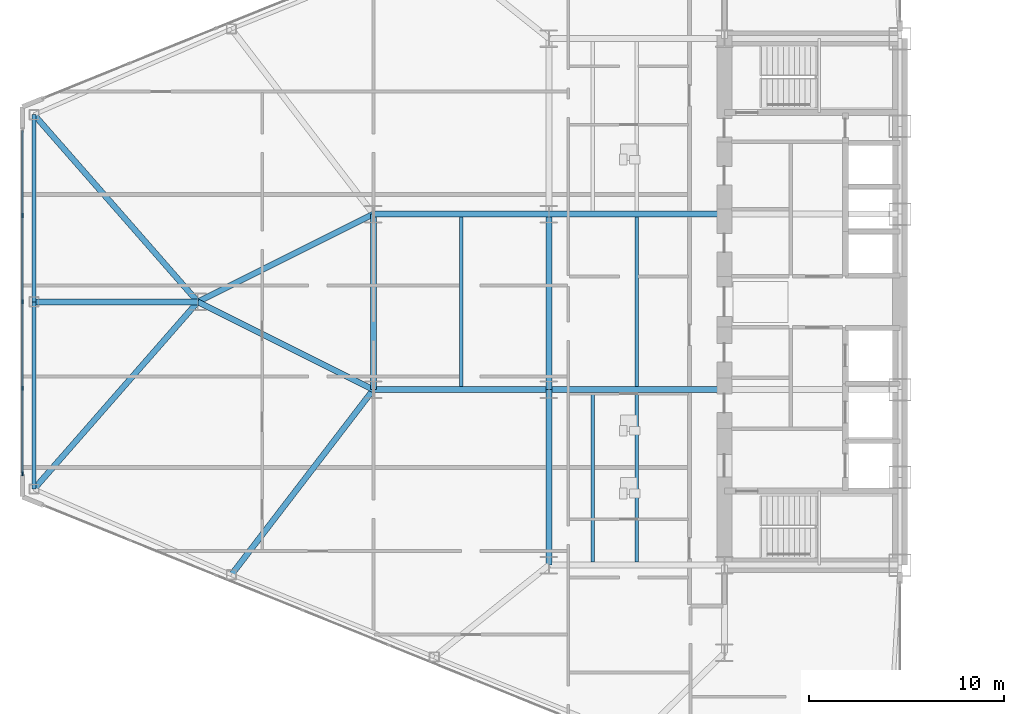
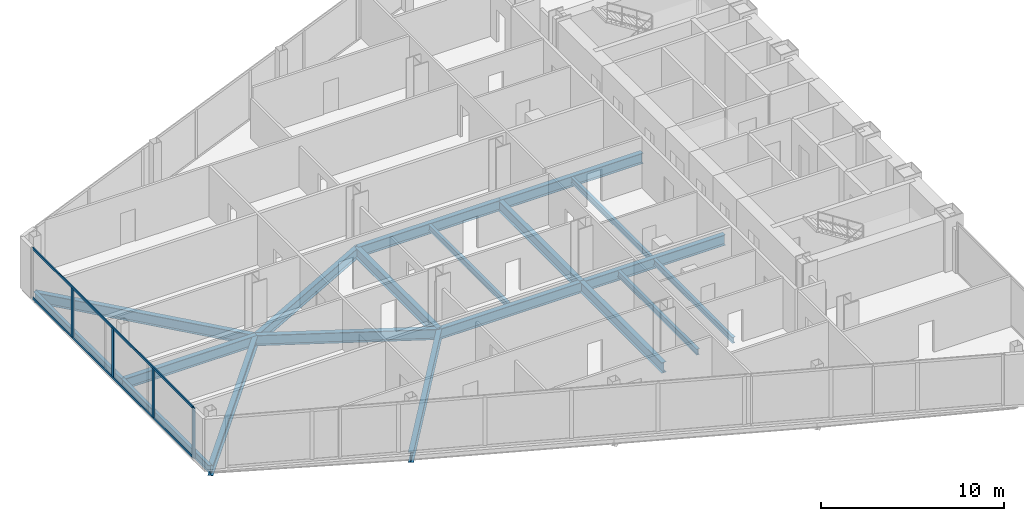
# One storey, part 4 of 25: 19 beams, 6 members, 1 element without a shape of its own.
"""IFC4 building model written with IfcOpenShell, lengths in metres."""

from ifc_helpers import new_model, si_unit, direction, frame, origin, origin_2d, place, context, subcontext, project, spatial, rectangle, i_section, extrude, source, transform, mapped, material, layer, layer_set, material_profile, profile_set, type_object, type_shapes, element, aggregate, save


model = new_model("IFC4")

# Units and contexts
model_context = context("Model", 3, precision=1e-05, world=origin(), true_north=direction((0.0, 1.0)))
body_context = subcontext(model_context, "Body", "Model", "MODEL_VIEW")
ifc_project = project(units=[si_unit("LENGTHUNIT", "METRE"), si_unit("AREAUNIT", "SQUARE_METRE"), si_unit("VOLUMEUNIT", "CUBIC_METRE"), si_unit("PLANEANGLEUNIT", "RADIAN"), si_unit("MASSUNIT", "GRAM", prefix="KILO")], contexts=[model_context])

# Site, building, storey
site_placement = place(None, origin())
site = spatial("IfcSite", under=ifc_project, at=site_placement, CompositionType="ELEMENT")
building_placement = place(site_placement, origin())
building = spatial("IfcBuilding", under=site, at=building_placement, Name="Seokmaru Belvedere", CompositionType="ELEMENT")
storey_placement = place(building_placement, frame((0.0, 0.0, 51.300048828125)))
storey = spatial("IfcBuildingStorey", under=building, at=storey_placement, Name="L13", CompositionType="ELEMENT", Elevation=51.300048828125)

# Beams
ifc_material_1 = material(Name="Steel SM355 (355 MPa)", Category="steel")
ifc_material_profile_1 = material_profile(ifc_material_1, i_section(OverallWidth=0.300048828125, OverallDepth=0.699951171875, WebThickness=0.012939453125, FlangeThickness=0.02392578125, at=origin_2d()), Name="H-700x300x13x24")
ifc_profile_set_1 = profile_set([ifc_material_profile_1], Name="Steel SM355 (355 MPa)")
beam_type_1 = type_object("IfcBeamType", Name="Primary Floor Girder H-700", PredefinedType="BEAM", material=ifc_profile_set_1)
shared_shape_1 = source(origin(), body_context, "Body", "SweptSolid", [
    extrude(i_section(OverallWidth=0.300048828125, OverallDepth=0.699951171875, WebThickness=0.012939453125, FlangeThickness=0.02392578125, at=origin_2d()), origin(), (0.0, 0.0, 1.0), 9.0),
])
for number, where, z_axis, x_axis, name in (
    (1, (-45.5, -13.5, -0.570068359375), (0.0, 1.0, 0.0), (-1.0, 0.0, 0.0), "L13 W Interior Grid Girder 1"),
    (2, (-45.5, -4.5, -0.570068359375), (0.0, 1.0, 0.0), (-1.0, 0.0, 0.0), "L13 W Interior Grid Girder 2"),
    (3, (-45.5, -4.5, -0.570068359375), (1.0, 0.0, 0.0), (0.0, 1.0, 0.0), "L13 W Wing Primary Girder 2"),
    (4, (-45.5, 4.5, -0.570068359375), (1.0, 0.0, 0.0), (0.0, 1.0, 0.0), "L13 W Wing Primary Girder 3"),
    (5, (-54.5, -4.5, -0.570068359375), (1.0, 0.0, 0.0), (0.0, 1.0, 0.0), "L13 W Outer Wing Girder 1"),
    (6, (-54.5, 4.5, -0.570068359375), (1.0, 0.0, 0.0), (0.0, 1.0, 0.0), "L13 W Outer Wing Girder 2"),
    (7, (-54.5, -4.5, -0.570068359375), (0.0, 1.0, 0.0), (-1.0, 0.0, 0.0), "L13 W Apex Frame Girder"),
):
    element("IfcBeam", number, at=place(storey_placement, frame(where, z_axis=z_axis, x_axis=x_axis)), inside=storey, type_object=beam_type_1, Name=name, PredefinedType="BEAM", context=body_context, shape_type="MappedRepresentation", body=[
        mapped(shared_shape_1, transform((0.0, 0.0, 0.0), scale=1.0)),
    ])
shared_shape_2 = source(origin(), body_context, "Body", "SweptSolid", [
    extrude(i_section(OverallWidth=0.300048828125, OverallDepth=0.699951171875, WebThickness=0.012939453125, FlangeThickness=0.02392578125, at=origin_2d()), origin(), (0.0, 0.0, 1.0), 10.062255859375),
])
for number, where, z_axis, x_axis, name in (
    (8, (-54.5, -4.5, -0.570068359375), (-0.894427191, 0.4472135955, 0.0), (-0.4472135955, -0.894427191, 0.0), "L13 W Apex Converging Girder 1"),
    (9, (-54.5, 4.5, -0.570068359375), (-0.894427191, -0.4472135955, 0.0), (0.4472135955, -0.894427191, 0.0), "L13 W Apex Converging Girder 2"),
):
    element("IfcBeam", number, at=place(storey_placement, frame(where, z_axis=z_axis, x_axis=x_axis)), inside=storey, type_object=beam_type_1, Name=name, PredefinedType="BEAM", context=body_context, shape_type="MappedRepresentation", body=[
        mapped(shared_shape_2, transform((0.0, 0.0, 0.0), scale=1.0)),
    ])
ifc_material_profile_2 = material_profile(ifc_material_1, i_section(OverallWidth=0.18505859375, OverallDepth=0.389892578125, WebThickness=0.008056640625, FlangeThickness=0.011962890625, at=origin_2d()), Name="H-390x185x8x12")
ifc_profile_set_2 = profile_set([ifc_material_profile_2], Name="Steel SM355 (355 MPa)")
beam_type_2 = type_object("IfcBeamType", Name="Secondary Floor Joist H-350", PredefinedType="JOIST", material=ifc_profile_set_2)
shared_shape_3 = source(origin(), body_context, "Body", "SweptSolid", [
    extrude(i_section(OverallWidth=0.18505859375, OverallDepth=0.389892578125, WebThickness=0.008056640625, FlangeThickness=0.011962890625, at=origin_2d()), origin(), (0.0, 0.0, 1.0), 8.68994140625),
])
type_shapes(beam_type_2, [shared_shape_3])
for number, where, z_axis, x_axis, name in (
    (10, (-43.25, -13.344970703125, -0.4150390625), (0.0, 1.0, 0.0), (-1.0, 0.0, 0.0), "L13 W Wing Inner Secondary Joist 1"),
    (11, (-41.0, -13.344970703125, -0.4150390625), (0.0, 1.0, 0.0), (-1.0, 0.0, 0.0), "L13 W Secondary Floor Joist 1"),
    (12, (-41.0, -4.344970703125, -0.4150390625), (0.0, 1.0, 0.0), (-1.0, 0.0, 0.0), "L13 W Secondary Floor Joist 2"),
    (13, (-50.0, -4.344970703125, -0.4150390625), (0.0, 1.0, 0.0), (-1.0, 0.0, 0.0), "L13 W Outer Bay Secondary Joist"),
):
    element("IfcBeam", number, at=place(storey_placement, frame(where, z_axis=z_axis, x_axis=x_axis)), inside=storey, type_object=beam_type_2, Name=name, PredefinedType="JOIST", context=body_context, shape_type="MappedRepresentation", body=[
        mapped(shared_shape_3, transform((0.0, 0.0, 0.0), scale=1.0)),
    ])
shared_shape_4 = source(origin(), body_context, "Body", "SweptSolid", [
    extrude(i_section(OverallWidth=0.300048828125, OverallDepth=0.699951171875, WebThickness=0.012939453125, FlangeThickness=0.02392578125, at=origin_2d()), origin(), (0.0, 0.0, 1.0), 12.7529296875),
])
for number, where, z_axis, x_axis, name in (
    (14, (-71.89990234375, -9.595703125, -0.570068359375), (0.658667231479, 0.752434368019, 0.0), (-0.752434368019, 0.658667231479, 0.0), "L13 W Apex Radial Floor Girder 1"),
    (15, (-71.89990234375, 9.595703125, -0.570068359375), (0.658667231479, -0.752434368019, 0.0), (0.752434368019, 0.658667231479, 0.0), "L13 W Apex Radial Floor Girder 2"),
):
    element("IfcBeam", number, at=place(storey_placement, frame(where, z_axis=z_axis, x_axis=x_axis)), inside=storey, type_object=beam_type_1, Name=name, PredefinedType="BEAM", context=body_context, shape_type="MappedRepresentation", body=[
        mapped(shared_shape_4, transform((0.0, 0.0, 0.0), scale=1.0)),
    ])
ifc_material_profile_3 = material_profile(ifc_material_1, i_section(OverallWidth=0.199951171875, OverallDepth=0.5, WebThickness=0.010009765625, FlangeThickness=0.01611328125, at=origin_2d()), Name="H-500x200x10x16")
ifc_profile_set_3 = profile_set([ifc_material_profile_3], Name="Steel SM355 (355 MPa)")
beam_type_3 = type_object("IfcBeamType", Name="Perimeter Spandrel Beam H-500", PredefinedType="SPANDREL", material=ifc_profile_set_3)
shared_shape_5 = source(origin(), body_context, "Body", "SweptSolid", [
    extrude(i_section(OverallWidth=0.199951171875, OverallDepth=0.5, WebThickness=0.010009765625, FlangeThickness=0.01611328125, at=origin_2d()), origin(), (0.0, 0.0, 1.0), 9.595703125),
])
type_shapes(beam_type_3, [shared_shape_5])
for number, where, z_axis, x_axis, name in (
    (16, (-71.89990234375, -9.595703125, -0.469970703125), (0.0, 1.0, 0.0), (-1.0, 0.0, 0.0), "L13 W Faceted Apex Spandrel S"),
    (17, (-71.89990234375, 0.0, -0.469970703125), (0.0, 1.0, 0.0), (-1.0, 0.0, 0.0), "L13 W Faceted Apex Spandrel N"),
):
    element("IfcBeam", number, at=place(storey_placement, frame(where, z_axis=z_axis, x_axis=x_axis)), inside=storey, type_object=beam_type_3, Name=name, PredefinedType="SPANDREL", context=body_context, shape_type="MappedRepresentation", body=[
        mapped(shared_shape_5, transform((0.0, 0.0, 0.0), scale=1.0)),
    ])
shared_shape_6 = source(origin(), body_context, "Body", "SweptSolid", [
    extrude(i_section(OverallWidth=0.300048828125, OverallDepth=0.699951171875, WebThickness=0.012939453125, FlangeThickness=0.02392578125, at=origin_2d()), origin(), (0.0, 0.0, 1.0), 11.96337890625),
])
beam_1_placement = place(storey_placement, frame((-61.779052734375, -13.994140625, -0.570068359375), z_axis=(0.608442682624, 0.793597821294, 0.0), x_axis=(-0.793597821294, 0.608442682624, 0.0)))
element("IfcBeam", 18, at=beam_1_placement, inside=storey, type_object=beam_type_1, Name="L13 W Flank Radial Floor Girder S-3", PredefinedType="BEAM", context=body_context, shape_type="MappedRepresentation", body=[
    mapped(shared_shape_6, transform((0.0, 0.0, 0.0), scale=1.0)),
])
shared_shape_7 = source(origin(), body_context, "Body", "SweptSolid", [
    extrude(i_section(OverallWidth=0.300048828125, OverallDepth=0.699951171875, WebThickness=0.012939453125, FlangeThickness=0.02392578125, at=origin_2d()), origin(), (0.0, 0.0, 1.0), 8.39990234375),
])
type_shapes(beam_type_1, [shared_shape_1, shared_shape_2, shared_shape_4, shared_shape_6, shared_shape_7])
beam_2_placement = place(storey_placement, frame((-71.89990234375, 0.0, -0.570068359375), z_axis=(1.0, 0.0, 0.0), x_axis=(0.0, 1.0, 0.0)))
element("IfcBeam", 19, at=beam_2_placement, inside=storey, type_object=beam_type_1, Name="L13 W Apex Center Radial Girder", PredefinedType="BEAM", context=body_context, shape_type="MappedRepresentation", body=[
    mapped(shared_shape_7, transform((0.0, 0.0, 0.0), scale=1.0)),
])

# Curtain wall, members
ifc_material_2 = material(Name="Bronze Triple Insulating Glass", Category="glass")
ifc_layer = layer(ifc_material_2, 0.2099609375)
ifc_layer_set = layer_set([ifc_layer], Name="Bronze Triple Insulating Glass")
curtain_wall_type = type_object("IfcCurtainWallType", Name="Low-Rise Faceted Crystal Curtain Wall System CW-2", PredefinedType="NOTDEFINED", material=ifc_layer_set)
curtain_wall_placement = place(storey_placement, origin())
curtain_wall = element("IfcCurtainWall", 20, at=curtain_wall_placement, inside=storey, type_object=curtain_wall_type, Name="L13 Curtain Wall WF4", PredefinedType="NOTDEFINED")
ifc_material_3 = material(Name="Anodised Bronze Aluminium", Category="aluminium")
ifc_material_profile_4 = material_profile(ifc_material_3, rectangle(XDim=0.074951171875, YDim=0.2099609375, at=origin_2d()), Name="CW-M-75x210")
ifc_profile_set_4 = profile_set([ifc_material_profile_4], Name="Anodised Bronze Aluminium")
member_type_1 = type_object("IfcMemberType", Name="Bronze Unitised Mullion 75x210", PredefinedType="MULLION", material=ifc_profile_set_4)
shared_shape_8 = source(origin(), body_context, "Body", "SweptSolid", [
    extrude(rectangle(XDim=0.074951171875, YDim=0.2099609375, at=origin_2d()), origin(), (0.0, 0.0, 1.0), 3.239990234375),
])
member_1_placement = place(storey_placement, frame((-72.5, 4.425048828125, 0.070068359375), z_axis=(0.0, 0.0, 1.0), x_axis=(1.0, 0.0, 0.0)))
member_1 = element("IfcMember", 21, at=member_1_placement, type_object=member_type_1, Name="CW:L13:WF4 Mullion 2", PredefinedType="MULLION", context=body_context, shape_type="MappedRepresentation", body=[
    mapped(shared_shape_8, transform((0.0, 0.0, 0.0), scale=1.0)),
])
member_2_placement = place(storey_placement, frame((-72.5, 0.0, 0.070068359375), z_axis=(0.0, 0.0, 1.0), x_axis=(1.0, 0.0, 0.0)))
member_2 = element("IfcMember", 22, at=member_2_placement, type_object=member_type_1, Name="CW:L13:WF4 Mullion 3", PredefinedType="MULLION", context=body_context, shape_type="MappedRepresentation", body=[
    mapped(shared_shape_8, transform((0.0, 0.0, 0.0), scale=1.0)),
])
member_3_placement = place(storey_placement, frame((-72.5, -4.425048828125, 0.070068359375), z_axis=(0.0, 0.0, 1.0), x_axis=(1.0, 0.0, 0.0)))
member_3 = element("IfcMember", 23, at=member_3_placement, type_object=member_type_1, Name="CW:L13:WF4 Mullion 4", PredefinedType="MULLION", context=body_context, shape_type="MappedRepresentation", body=[
    mapped(shared_shape_8, transform((0.0, 0.0, 0.0), scale=1.0)),
])
ifc_material_profile_5 = material_profile(ifc_material_3, rectangle(XDim=0.070068359375, YDim=0.1650390625, at=origin_2d()), Name="CW-T-70x165")
ifc_profile_set_5 = profile_set([ifc_material_profile_5], Name="Anodised Bronze Aluminium")
member_type_2 = type_object("IfcMemberType", Name="Bronze Unitised Transom 70x165", PredefinedType="USERDEFINED", material=ifc_profile_set_5)
shared_shape_9 = source(origin(), body_context, "Body", "SweptSolid", [
    extrude(rectangle(XDim=0.070068359375, YDim=0.1650390625, at=origin_2d()), origin(), (0.0, 0.0, 1.0), 17.5498046875),
])
type_shapes(member_type_2, [shared_shape_9])
member_4_placement = place(storey_placement, frame((-72.5, 8.77490234375, 0.034912109375), z_axis=(0.0, -1.0, 0.0), x_axis=(1.0, 0.0, 0.0)))
member_4 = element("IfcMember", 24, at=member_4_placement, type_object=member_type_2, Name="CW:L13:WF4 Continuous Transom 1", ObjectType="TRANSOM", PredefinedType="USERDEFINED", context=body_context, shape_type="MappedRepresentation", body=[
    mapped(shared_shape_9, transform((0.0, 0.0, 0.0), scale=1.0)),
])
member_5_placement = place(storey_placement, frame((-72.5, 8.77490234375, 3.344970703125), z_axis=(0.0, -1.0, 0.0), x_axis=(1.0, 0.0, 0.0)))
member_5 = element("IfcMember", 25, at=member_5_placement, type_object=member_type_2, Name="CW:L13:WF4 Continuous Transom 2", ObjectType="TRANSOM", PredefinedType="USERDEFINED", context=body_context, shape_type="MappedRepresentation", body=[
    mapped(shared_shape_9, transform((0.0, 0.0, 0.0), scale=1.0)),
])
shared_shape_10 = source(origin(), body_context, "Body", "SweptSolid", [
    extrude(rectangle(XDim=0.074951171875, YDim=0.2099609375, at=origin_2d()), origin(), (0.0, 0.0, 1.0), 3.3798828125),
])
type_shapes(member_type_1, [shared_shape_8, shared_shape_10])
member_6_placement = place(storey_placement, frame((-72.5, -8.8125, 0.0), z_axis=(0.0, 0.0, 1.0), x_axis=(1.0, 0.0, 0.0)))
member_6 = element("IfcMember", 26, at=member_6_placement, type_object=member_type_1, Name="CW:L13:WF4 Mullion 5", PredefinedType="MULLION", context=body_context, shape_type="MappedRepresentation", body=[
    mapped(shared_shape_10, transform((0.0, 0.0, 0.0), scale=1.0)),
])
aggregate(curtain_wall, [member_1, member_2, member_3, member_6, member_4, member_5])

save(model, "model.ifc")
